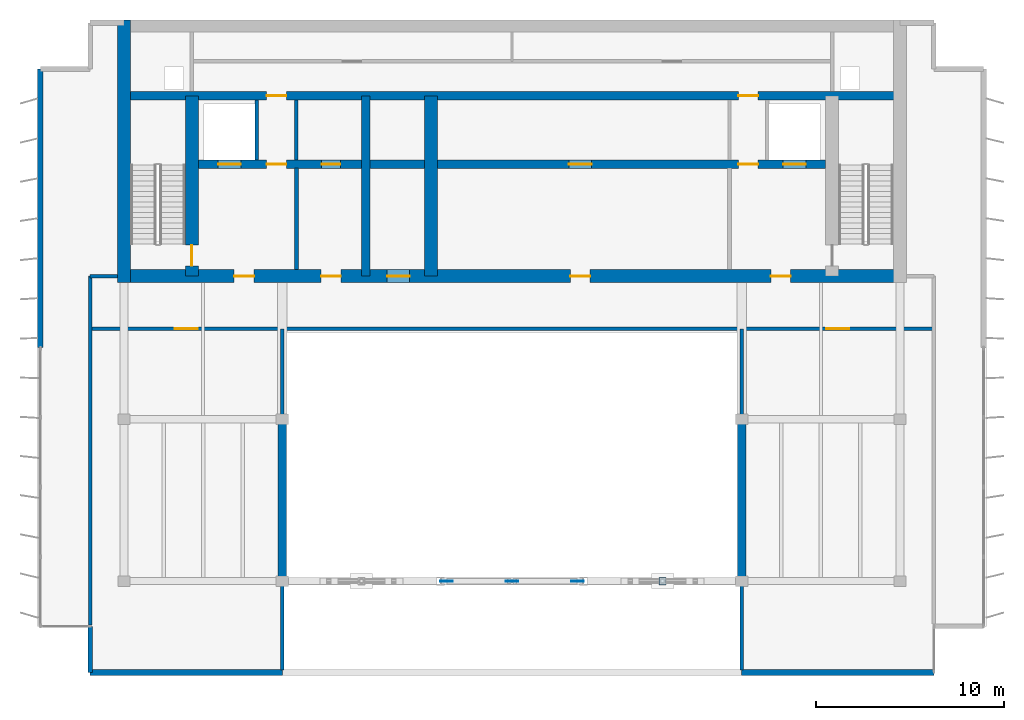
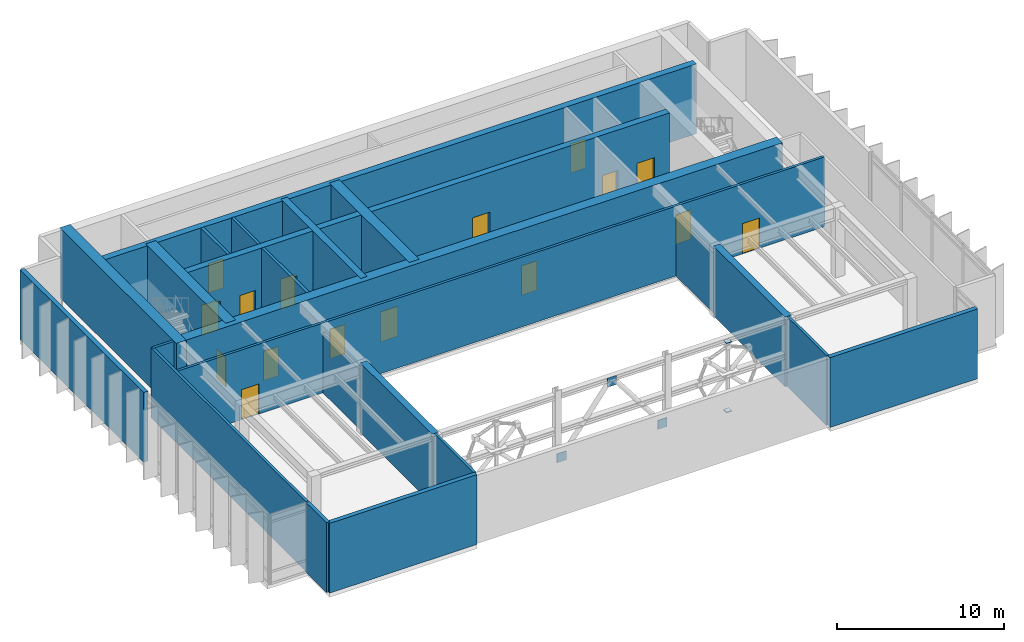
# One storey, part 6 of 10: 23 walls, 16 doors, 5 plates, 16 openings.
"""IFC4 building model written with IfcOpenShell, lengths in metres."""

from ifc_helpers import new_model, si_unit, direction, frame, frame_2d, origin, origin_2d, place, context, subcontext, project, spatial, rectangle, extrude, material, layer, layer_set, type_object, element, fill, save


model = new_model("IFC4")

# Units and contexts
model_context = context("Model", 3, precision=1e-05, world=origin(), true_north=direction((0.0, 1.0)))
body_context = subcontext(model_context, "Body", "Model", "MODEL_VIEW")
ifc_project = project(units=[si_unit("LENGTHUNIT", "METRE"), si_unit("AREAUNIT", "SQUARE_METRE"), si_unit("VOLUMEUNIT", "CUBIC_METRE"), si_unit("PLANEANGLEUNIT", "RADIAN"), si_unit("MASSUNIT", "GRAM", prefix="KILO")], contexts=[model_context])

# Site, building, storey
site_placement = place(None, origin())
site = spatial("IfcSite", under=ifc_project, at=site_placement, CompositionType="ELEMENT")
building_placement = place(site_placement, origin())
building = spatial("IfcBuilding", under=site, at=building_placement, Name="Caelmar Bay Residences", CompositionType="ELEMENT")
storey_placement = place(building_placement, frame((0.0, 0.0, 284.800048828125)))
storey = spatial("IfcBuildingStorey", under=building, at=storey_placement, Name="L79", CompositionType="ELEMENT", Elevation=284.800048828125)

# Plates
ifc_material_1 = material(Name="Steel ASTM A572 Grade 50", Category="steel")
ifc_layer_1 = layer(ifc_material_1, 0.044921875)
ifc_layer_set_1 = layer_set([ifc_layer_1], Name="Steel ASTM A572 Grade 50")
plate_type_1 = type_object("IfcPlateType", Name="PLT-CAP-45", PredefinedType="USERDEFINED", material=ifc_layer_set_1)
for number, where, z_axis, x_axis, name in (
    (1, (46.89990234375, 20.800048828125, -0.322509765625), (0.0, 0.0, 1.0), (1.0, 0.0, 0.0), "L79 Hollow-Section End-Cap Plate PLT-TURBPOST-B2"),
    (2, (46.89990234375, 20.800048828125, 4.719482421875), (0.0, 0.0, 1.0), (1.0, 0.0, 0.0), "L79 Hollow-Section End-Cap Plate PLT-TURBPOST-T2"),
):
    element("IfcPlate", number, at=place(storey_placement, frame(where, z_axis=z_axis, x_axis=x_axis)), inside=storey, type_object=plate_type_1, Name=name, ObjectType="CAP_PLATE", PredefinedType="USERDEFINED", context=body_context, shape_type="SweptSolid", body=[
        extrude(rectangle(XDim=0.3798828125, YDim=0.3798828125, at=origin_2d()), origin(), (0.0, 0.0, 1.0), 0.044921875),
    ])
ifc_layer_2 = layer(ifc_material_1, 0.044921875)
ifc_layer_set_2 = layer_set([ifc_layer_2], Name="Steel ASTM A572 Grade 50")
plate_type_2 = type_object("IfcPlateType", Name="PLT-GUS-45", PredefinedType="USERDEFINED", material=ifc_layer_set_2)
for number, where, z_axis, x_axis, name in (
    (3, (35.41552734375, 20.800048828125, -0.0048828125), (0.0, 0.0, 1.0), (1.0, 0.0, 0.0), "L79 Structural Node Gusset Plate PLT-PRT-L79L"),
    (4, (42.384521484375, 20.800048828125, -0.0048828125), (0.0, 0.0, 1.0), (1.0, 0.0, 0.0), "L79 Structural Node Gusset Plate PLT-PRT-L79R"),
    (5, (38.89990234375, 20.800048828125, 4.297119140625), (0.0, 0.0, 1.0), (1.0, 0.0, 0.0), "L79 Structural Node Gusset Plate PLT-PRT-L79"),
):
    element("IfcPlate", number, at=place(storey_placement, frame(where, z_axis=z_axis, x_axis=x_axis)), inside=storey, type_object=plate_type_2, Name=name, ObjectType="GUSSET_PLATE", PredefinedType="USERDEFINED", context=body_context, shape_type="SweptSolid", body=[
        extrude(rectangle(XDim=0.64990234375, YDim=0.044921875, at=origin_2d()), origin(), (0.0, 0.0, 1.0), 0.64990234375),
    ])

# Wall, openings, doors
ifc_material_2 = material(Name="Concrete f'c 55 MPa (8,000 psi)", Category="concrete")
ifc_layer_3 = layer(ifc_material_2, 0.699951171875)
ifc_layer_set_3 = layer_set([ifc_layer_3], Name="Concrete f'c 55 MPa (8,000 psi)")
wall_type_1 = type_object("IfcWallType", Name="SW-COR-700", PredefinedType="SHEAR", material=ifc_layer_set_3)
wall_1_placement = place(storey_placement, frame((17.949951171875, 37.0, 0.0), z_axis=(0.0, 0.0, 1.0), x_axis=(1.0, 0.0, 0.0)))
wall_1 = element("IfcWall", 6, at=wall_1_placement, inside=storey, type_object=wall_type_1, Name="L79 Rear Core South Shear Wall", PredefinedType="SHEAR", context=body_context, shape_type="SweptSolid", body=[
    extrude(rectangle(XDim=41.900146484375, YDim=0.699951171875, at=frame_2d((20.9501953125, 0.0))), origin(), (0.0, 0.0, 1.0), 5.099853515625),
])
opening_1_placement = place(wall_1_placement, frame((14.3125, 0.0, 0.0)))
opening_1 = element("IfcOpeningElement", 7, at=opening_1_placement, cuts=wall_1, Name="Opening D-L79-103", PredefinedType="OPENING", context=body_context, shape_type="SweptSolid", body=[
    extrude(rectangle(XDim=1.199951171875, YDim=2.199951171875, at=frame_2d((0.60009765625, 1.10009765625))), frame((0.0, 0.35986328125, 0.0), z_axis=(0.0, -1.0, 0.0), x_axis=(1.0, 0.0, 0.0)), (0.0, 0.0, 1.0), 0.719970703125),
])
opening_2_placement = place(wall_1_placement, frame((6.199951171875, 0.0, 0.0)))
opening_2 = element("IfcOpeningElement", 8, at=opening_2_placement, cuts=wall_1, Name="Opening D-L79-104", PredefinedType="OPENING", context=body_context, shape_type="SweptSolid", body=[
    extrude(rectangle(XDim=1.050048828125, YDim=2.14990234375, at=frame_2d((0.52490234375, 1.074951171875))), frame((0.0, 0.35986328125, 0.0), z_axis=(0.0, -1.0, 0.0), x_axis=(1.0, 0.0, 0.0)), (0.0, 0.0, 1.0), 0.719970703125),
])
opening_3_placement = place(wall_1_placement, frame((34.699951171875, 0.0, 0.0)))
opening_3 = element("IfcOpeningElement", 9, at=opening_3_placement, cuts=wall_1, Name="Opening D-L79-107", PredefinedType="OPENING", context=body_context, shape_type="SweptSolid", body=[
    extrude(rectangle(XDim=1.050048828125, YDim=2.14990234375, at=frame_2d((0.52490234375, 1.074951171875))), frame((0.0, 0.35986328125, 0.0), z_axis=(0.0, -1.0, 0.0), x_axis=(1.0, 0.0, 0.0)), (0.0, 0.0, 1.0), 0.719970703125),
])
opening_4_placement = place(wall_1_placement, frame((10.8125, 0.0, 0.0)))
opening_4 = element("IfcOpeningElement", 10, at=opening_4_placement, cuts=wall_1, Name="Opening D-L79-110", PredefinedType="OPENING", context=body_context, shape_type="SweptSolid", body=[
    extrude(rectangle(XDim=1.050048828125, YDim=2.14990234375, at=frame_2d((0.52490234375, 1.074951171875))), frame((0.0, 0.35986328125, 0.0), z_axis=(0.0, -1.0, 0.0), x_axis=(1.0, 0.0, 0.0)), (0.0, 0.0, 1.0), 0.719970703125),
])
opening_5_placement = place(wall_1_placement, frame((24.050048828125, 0.0, 0.0)))
opening_5 = element("IfcOpeningElement", 11, at=opening_5_placement, cuts=wall_1, Name="Opening D-L79-112", PredefinedType="OPENING", context=body_context, shape_type="SweptSolid", body=[
    extrude(rectangle(XDim=1.050048828125, YDim=2.14990234375, at=frame_2d((0.52490234375, 1.074951171875))), frame((0.0, 0.35986328125, 0.0), z_axis=(0.0, -1.0, 0.0), x_axis=(1.0, 0.0, 0.0)), (0.0, 0.0, 1.0), 0.719970703125),
])
ifc_material_3 = material(Name="Fire-rated steel and walnut architectural door assembly", Category="steel")
ifc_layer_4 = layer(ifc_material_3, 0.050048828125)
ifc_layer_set_4 = layer_set([ifc_layer_4], Name="Fire-rated steel and walnut architectural door assembly")
door_type_1 = type_object("IfcDoorType", Name="D-FSAE-1050", OperationType="NOTDEFINED", PredefinedType="DOOR", material=ifc_layer_set_4)
door_1_placement = place(opening_2_placement, origin())
door_1 = element("IfcDoor", 12, at=door_1_placement, inside=storey, type_object=door_type_1, Name="L79 Firefighting Lobby West Door", OperationType="SINGLE_SWING_LEFT", OverallHeight=2.14990234375, OverallWidth=1.050048828125, PredefinedType="DOOR", context=body_context, shape_type="SweptSolid", body=[
    extrude(rectangle(XDim=1.050048828125, YDim=2.14990234375, at=frame_2d((0.52490234375, 1.074951171875))), frame((0.0, 0.02490234375, 0.0), z_axis=(0.0, -1.0, 0.0), x_axis=(1.0, 0.0, 0.0)), (0.0, 0.0, 1.0), 0.050048828125),
])
fill(opening_2, door_1)
door_2_placement = place(opening_3_placement, origin())
door_2 = element("IfcDoor", 13, at=door_2_placement, inside=storey, type_object=door_type_1, Name="L79 Firefighting Lobby East Door", OperationType="SINGLE_SWING_RIGHT", OverallHeight=2.14990234375, OverallWidth=1.050048828125, PredefinedType="DOOR", context=body_context, shape_type="SweptSolid", body=[
    extrude(rectangle(XDim=1.050048828125, YDim=2.14990234375, at=frame_2d((0.52490234375, 1.074951171875))), frame((0.0, 0.02490234375, 0.0), z_axis=(0.0, -1.0, 0.0), x_axis=(1.0, 0.0, 0.0)), (0.0, 0.0, 1.0), 0.050048828125),
])
fill(opening_3, door_2)
door_3_placement = place(opening_4_placement, origin())
door_3 = element("IfcDoor", 14, at=door_3_placement, inside=storey, type_object=door_type_1, Name="L79 West Lift Lobby Door", OperationType="SINGLE_SWING_LEFT", OverallHeight=2.14990234375, OverallWidth=1.050048828125, PredefinedType="DOOR", context=body_context, shape_type="SweptSolid", body=[
    extrude(rectangle(XDim=1.050048828125, YDim=2.14990234375, at=frame_2d((0.52490234375, 1.074951171875))), frame((0.0, 0.02490234375, 0.0), z_axis=(0.0, -1.0, 0.0), x_axis=(1.0, 0.0, 0.0)), (0.0, 0.0, 1.0), 0.050048828125),
])
fill(opening_4, door_3)
door_4_placement = place(opening_5_placement, origin())
door_4 = element("IfcDoor", 15, at=door_4_placement, inside=storey, type_object=door_type_1, Name="L79 Passenger Lift Lobby Door", OperationType="SINGLE_SWING_LEFT", OverallHeight=2.14990234375, OverallWidth=1.050048828125, PredefinedType="DOOR", context=body_context, shape_type="SweptSolid", body=[
    extrude(rectangle(XDim=1.050048828125, YDim=2.14990234375, at=frame_2d((0.52490234375, 1.074951171875))), frame((0.0, 0.02490234375, 0.0), z_axis=(0.0, -1.0, 0.0), x_axis=(1.0, 0.0, 0.0)), (0.0, 0.0, 1.0), 0.050048828125),
])
fill(opening_5, door_4)
ifc_layer_5 = layer(ifc_material_3, 0.050048828125)
ifc_layer_set_5 = layer_set([ifc_layer_5], Name="Fire-rated steel and walnut architectural door assembly")
door_type_2 = type_object("IfcDoorType", Name="D-PLANT-1200", OperationType="NOTDEFINED", PredefinedType="DOOR", material=ifc_layer_set_5)
door_5_placement = place(opening_1_placement, origin())
door_5 = element("IfcDoor", 16, at=door_5_placement, inside=storey, type_object=door_type_2, Name="L79 Crown Pressurisation Fan Room Door", OperationType="SINGLE_SWING_RIGHT", OverallHeight=2.199951171875, OverallWidth=1.199951171875, PredefinedType="DOOR", context=body_context, shape_type="SweptSolid", body=[
    extrude(rectangle(XDim=1.199951171875, YDim=2.199951171875, at=frame_2d((0.60009765625, 1.10009765625))), frame((0.0, 0.02490234375, 0.0), z_axis=(0.0, -1.0, 0.0), x_axis=(1.0, 0.0, 0.0)), (0.0, 0.0, 1.0), 0.050048828125),
])
fill(opening_1, door_5)

# Wall
wall_2_placement = place(storey_placement, frame((18.300048828125, 36.64990234375, 0.0), z_axis=(0.0, 0.0, 1.0), x_axis=(0.0, 1.0, 0.0)))
element("IfcWall", 17, at=wall_2_placement, inside=storey, type_object=wall_type_1, Name="L79 Rear Core West Shear Wall", PredefinedType="SHEAR", context=body_context, shape_type="SweptSolid", body=[
    extrude(rectangle(XDim=13.9501953125, YDim=0.699951171875, at=frame_2d((6.97509765625, 0.0))), origin(), (0.0, 0.0, 1.0), 5.099853515625),
])

# Wall, opening, door
wall_3_placement = place(storey_placement, frame((21.89990234375, 37.0, 0.0), z_axis=(0.0, 0.0, 1.0), x_axis=(0.0, 1.0, 0.0)))
wall_3 = element("IfcWall", 18, at=wall_3_placement, inside=storey, type_object=wall_type_1, Name="L79 Core Structural Web Wall ST1E", PredefinedType="SHEAR", context=body_context, shape_type="SweptSolid", body=[
    extrude(rectangle(XDim=9.574951171875, YDim=0.699951171875, at=frame_2d((4.78759765625, 0.0))), origin(), (0.0, 0.0, 1.0), 5.099853515625),
])
opening_6_placement = place(wall_3_placement, frame((0.550048828125, 0.0, 0.0)))
opening_6 = element("IfcOpeningElement", 19, at=opening_6_placement, cuts=wall_3, Name="Opening D-L79-105", PredefinedType="OPENING", context=body_context, shape_type="SweptSolid", body=[
    extrude(rectangle(XDim=1.10009765625, YDim=2.14990234375, at=frame_2d((0.550048828125, 1.074951171875))), frame((0.0, 0.35986328125, 0.0), z_axis=(0.0, -1.0, 0.0), x_axis=(1.0, 0.0, 0.0)), (0.0, 0.0, 1.0), 0.719970703125),
])
ifc_layer_6 = layer(ifc_material_3, 0.050048828125)
ifc_layer_set_6 = layer_set([ifc_layer_6], Name="Fire-rated steel and walnut architectural door assembly")
door_type_3 = type_object("IfcDoorType", Name="D-STAIR-1100", OperationType="NOTDEFINED", PredefinedType="DOOR", material=ifc_layer_set_6)
door_6_placement = place(opening_6_placement, origin())
door_6 = element("IfcDoor", 20, at=door_6_placement, inside=storey, type_object=door_type_3, Name="L79 Firefighting Lobby West Door", OperationType="SINGLE_SWING_RIGHT", OverallHeight=2.14990234375, OverallWidth=1.10009765625, PredefinedType="DOOR", context=body_context, shape_type="SweptSolid", body=[
    extrude(rectangle(XDim=1.10009765625, YDim=2.14990234375, at=frame_2d((0.550048828125, 1.074951171875))), frame((0.0, 0.02490234375, 0.0), z_axis=(0.0, -1.0, 0.0), x_axis=(1.0, 0.0, 0.0)), (0.0, 0.0, 1.0), 0.050048828125),
])
fill(opening_6, door_6)

# Walls
wall_4_placement = place(storey_placement, frame((34.60009765625, 37.0, 0.0), z_axis=(0.0, 0.0, 1.0), x_axis=(0.0, 1.0, 0.0)))
element("IfcWall", 21, at=wall_4_placement, inside=storey, type_object=wall_type_1, Name="L79 Core Structural Web Wall ST3E", PredefinedType="SHEAR", context=body_context, shape_type="SweptSolid", body=[
    extrude(rectangle(XDim=9.574951171875, YDim=0.699951171875, at=frame_2d((4.78759765625, 0.0))), origin(), (0.0, 0.0, 1.0), 5.099853515625),
])
ifc_material_4 = material(Name="Concrete f'c 70 MPa (10,000 psi)", Category="concrete")
ifc_layer_7 = layer(ifc_material_4, 0.449951171875)
ifc_layer_set_7 = layer_set([ifc_layer_7], Name="Concrete f'c 70 MPa (10,000 psi)")
wall_type_2 = type_object("IfcWallType", Name="SW-WEB-450", PredefinedType="SHEAR", material=ifc_layer_set_7)
wall_5_placement = place(storey_placement, frame((31.125, 37.0, 0.0), z_axis=(0.0, 0.0, 1.0), x_axis=(0.0, 1.0, 0.0)))
element("IfcWall", 22, at=wall_5_placement, inside=storey, type_object=wall_type_2, Name="L79 Core Structural Web Wall ST3W", PredefinedType="SHEAR", context=body_context, shape_type="SweptSolid", body=[
    extrude(rectangle(XDim=9.574951171875, YDim=0.449951171875, at=frame_2d((4.78759765625, 0.0))), origin(), (0.0, 0.0, 1.0), 5.099853515625),
])

# Wall, openings, doors
wall_6_placement = place(storey_placement, frame((22.25, 42.949951171875, 0.0), z_axis=(0.0, 0.0, 1.0), x_axis=(1.0, 0.0, 0.0)))
wall_6 = element("IfcWall", 23, at=wall_6_placement, inside=storey, type_object=wall_type_2, Name="L79 Core Structural Web Wall LFR", PredefinedType="SHEAR", context=body_context, shape_type="SweptSolid", body=[
    extrude(rectangle(XDim=33.300048828125, YDim=0.449951171875, at=frame_2d((16.64990234375, 0.0))), origin(), (0.0, 0.0, 1.0), 5.099853515625),
])
opening_7_placement = place(wall_6_placement, frame((1.050048828125, 0.0, 0.0)))
opening_7 = element("IfcOpeningElement", 24, at=opening_7_placement, cuts=wall_6, Name="Opening LD2", PredefinedType="OPENING", context=body_context, shape_type="SweptSolid", body=[
    extrude(rectangle(XDim=1.199951171875, YDim=2.199951171875, at=frame_2d((0.60009765625, 1.10009765625))), frame((0.0, 0.23486328125, 0.0), z_axis=(0.0, -1.0, 0.0), x_axis=(1.0, 0.0, 0.0)), (0.0, 0.0, 1.0), 0.469970703125),
])
opening_8_placement = place(wall_6_placement, frame((31.050048828125, 0.0, 0.0)))
opening_8 = element("IfcOpeningElement", 25, at=opening_8_placement, cuts=wall_6, Name="Opening LD2", PredefinedType="OPENING", context=body_context, shape_type="SweptSolid", body=[
    extrude(rectangle(XDim=1.199951171875, YDim=2.199951171875, at=frame_2d((0.60009765625, 1.10009765625))), frame((0.0, 0.23486328125, 0.0), z_axis=(0.0, -1.0, 0.0), x_axis=(1.0, 0.0, 0.0)), (0.0, 0.0, 1.0), 0.469970703125),
])
opening_9_placement = place(wall_6_placement, frame((3.625, 0.0, 0.0)))
opening_9 = element("IfcOpeningElement", 26, at=opening_9_placement, cuts=wall_6, Name="Opening D-L79-106", PredefinedType="OPENING", context=body_context, shape_type="SweptSolid", body=[
    extrude(rectangle(XDim=1.050048828125, YDim=2.14990234375, at=frame_2d((0.52490234375, 1.074951171875))), frame((0.0, 0.23486328125, 0.0), z_axis=(0.0, -1.0, 0.0), x_axis=(1.0, 0.0, 0.0)), (0.0, 0.0, 1.0), 0.469970703125),
])
opening_10_placement = place(wall_6_placement, frame((28.675048828125, 0.0, 0.0)))
opening_10 = element("IfcOpeningElement", 27, at=opening_10_placement, cuts=wall_6, Name="Opening D-L79-109", PredefinedType="OPENING", context=body_context, shape_type="SweptSolid", body=[
    extrude(rectangle(XDim=1.050048828125, YDim=2.14990234375, at=frame_2d((0.52490234375, 1.074951171875))), frame((0.0, 0.23486328125, 0.0), z_axis=(0.0, -1.0, 0.0), x_axis=(1.0, 0.0, 0.0)), (0.0, 0.0, 1.0), 0.469970703125),
])
opening_11_placement = place(wall_6_placement, frame((6.53759765625, 0.0, 0.0)))
opening_11 = element("IfcOpeningElement", 28, at=opening_11_placement, cuts=wall_6, Name="Opening D-L79-111", PredefinedType="OPENING", context=body_context, shape_type="SweptSolid", body=[
    extrude(rectangle(XDim=1.0, YDim=2.199951171875, at=frame_2d((0.5, 1.10009765625))), frame((0.0, 0.23486328125, 0.0), z_axis=(0.0, -1.0, 0.0), x_axis=(1.0, 0.0, 0.0)), (0.0, 0.0, 1.0), 0.469970703125),
])
opening_12_placement = place(wall_6_placement, frame((19.675048828125, 0.0, 0.0)))
opening_12 = element("IfcOpeningElement", 29, at=opening_12_placement, cuts=wall_6, Name="Opening D-L79-113", PredefinedType="OPENING", context=body_context, shape_type="SweptSolid", body=[
    extrude(rectangle(XDim=1.199951171875, YDim=2.199951171875, at=frame_2d((0.60009765625, 1.10009765625))), frame((0.0, 0.23486328125, 0.0), z_axis=(0.0, -1.0, 0.0), x_axis=(1.0, 0.0, 0.0)), (0.0, 0.0, 1.0), 0.469970703125),
])
door_7_placement = place(opening_9_placement, origin())
door_7 = element("IfcDoor", 30, at=door_7_placement, inside=storey, type_object=door_type_1, Name="L79 Firefighting Lobby West Door", OperationType="SINGLE_SWING_LEFT", OverallHeight=2.14990234375, OverallWidth=1.050048828125, PredefinedType="DOOR", context=body_context, shape_type="SweptSolid", body=[
    extrude(rectangle(XDim=1.050048828125, YDim=2.14990234375, at=frame_2d((0.52490234375, 1.074951171875))), frame((0.0, 0.02490234375, 0.0), z_axis=(0.0, -1.0, 0.0), x_axis=(1.0, 0.0, 0.0)), (0.0, 0.0, 1.0), 0.050048828125),
])
fill(opening_9, door_7)
door_8_placement = place(opening_10_placement, origin())
door_8 = element("IfcDoor", 31, at=door_8_placement, inside=storey, type_object=door_type_1, Name="L79 Firefighting Lobby East Door", OperationType="SINGLE_SWING_RIGHT", OverallHeight=2.14990234375, OverallWidth=1.050048828125, PredefinedType="DOOR", context=body_context, shape_type="SweptSolid", body=[
    extrude(rectangle(XDim=1.050048828125, YDim=2.14990234375, at=frame_2d((0.52490234375, 1.074951171875))), frame((0.0, 0.02490234375, 0.0), z_axis=(0.0, -1.0, 0.0), x_axis=(1.0, 0.0, 0.0)), (0.0, 0.0, 1.0), 0.050048828125),
])
fill(opening_10, door_8)
ifc_material_5 = material(Name="Brushed stainless-steel FSAE sliding landing door", Category="steel")
ifc_layer_8 = layer(ifc_material_5, 0.050048828125)
ifc_layer_set_8 = layer_set([ifc_layer_8], Name="Brushed stainless-steel FSAE sliding landing door")
door_type_4 = type_object("IfcDoorType", Name="D-LND-1200", OperationType="DOUBLE_DOOR_SLIDING", PredefinedType="DOOR", material=ifc_layer_set_8)
door_9_placement = place(opening_7_placement, origin())
door_9 = element("IfcDoor", 32, at=door_9_placement, inside=storey, type_object=door_type_4, Name="L79 LF1 Sliding Landing Door", OperationType="DOUBLE_DOOR_SLIDING", OverallHeight=2.199951171875, OverallWidth=1.199951171875, PredefinedType="DOOR", context=body_context, shape_type="SweptSolid", body=[
    extrude(rectangle(XDim=1.199951171875, YDim=2.199951171875, at=frame_2d((0.60009765625, 1.10009765625))), frame((0.0, 0.02490234375, 0.0), z_axis=(0.0, -1.0, 0.0), x_axis=(1.0, 0.0, 0.0)), (0.0, 0.0, 1.0), 0.050048828125),
])
fill(opening_7, door_9)
door_10_placement = place(opening_8_placement, origin())
door_10 = element("IfcDoor", 33, at=door_10_placement, inside=storey, type_object=door_type_4, Name="L79 LF2 Sliding Landing Door", OperationType="DOUBLE_DOOR_SLIDING", OverallHeight=2.199951171875, OverallWidth=1.199951171875, PredefinedType="DOOR", context=body_context, shape_type="SweptSolid", body=[
    extrude(rectangle(XDim=1.199951171875, YDim=2.199951171875, at=frame_2d((0.60009765625, 1.10009765625))), frame((0.0, 0.02490234375, 0.0), z_axis=(0.0, -1.0, 0.0), x_axis=(1.0, 0.0, 0.0)), (0.0, 0.0, 1.0), 0.050048828125),
])
fill(opening_8, door_10)
door_11_placement = place(opening_12_placement, origin())
door_11 = element("IfcDoor", 34, at=door_11_placement, inside=storey, type_object=door_type_2, Name="L79 Lift Machine Plant Room Door", OperationType="SINGLE_SWING_RIGHT", OverallHeight=2.199951171875, OverallWidth=1.199951171875, PredefinedType="DOOR", context=body_context, shape_type="SweptSolid", body=[
    extrude(rectangle(XDim=1.199951171875, YDim=2.199951171875, at=frame_2d((0.60009765625, 1.10009765625))), frame((0.0, 0.02490234375, 0.0), z_axis=(0.0, -1.0, 0.0), x_axis=(1.0, 0.0, 0.0)), (0.0, 0.0, 1.0), 0.050048828125),
])
fill(opening_12, door_11)
ifc_layer_9 = layer(ifc_material_3, 0.050048828125)
ifc_layer_set_9 = layer_set([ifc_layer_9], Name="Fire-rated steel and walnut architectural door assembly")
door_type_5 = type_object("IfcDoorType", Name="D-UNIT-1000", OperationType="NOTDEFINED", PredefinedType="DOOR", material=ifc_layer_set_9)
door_12_placement = place(opening_11_placement, origin())
door_12 = element("IfcDoor", 35, at=door_12_placement, inside=storey, type_object=door_type_5, Name="L79 Core Equipment Closet Door", OperationType="SINGLE_SWING_RIGHT", OverallHeight=2.199951171875, OverallWidth=1.0, PredefinedType="DOOR", context=body_context, shape_type="SweptSolid", body=[
    extrude(rectangle(XDim=1.0, YDim=2.199951171875, at=frame_2d((0.5, 1.10009765625))), frame((0.0, 0.02490234375, 0.0), z_axis=(0.0, -1.0, 0.0), x_axis=(1.0, 0.0, 0.0)), (0.0, 0.0, 1.0), 0.050048828125),
])
fill(opening_11, door_12)

wall_7_placement = place(storey_placement, frame((18.300048828125, 46.574951171875, 0.0), z_axis=(0.0, 0.0, 1.0), x_axis=(1.0, 0.0, 0.0)))
wall_7 = element("IfcWall", 36, at=wall_7_placement, inside=storey, type_object=wall_type_2, Name="L79 Core Structural Web Wall SRVS", PredefinedType="SHEAR", context=body_context, shape_type="SweptSolid", body=[
    extrude(rectangle(XDim=41.199951171875, YDim=0.449951171875, at=frame_2d((20.60009765625, 0.0))), origin(), (0.0, 0.0, 1.0), 5.099853515625),
])
opening_13_placement = place(wall_7_placement, frame((7.574951171875, 0.0, 0.0)))
opening_13 = element("IfcOpeningElement", 37, at=opening_13_placement, cuts=wall_7, Name="Opening D-L79-114", PredefinedType="OPENING", context=body_context, shape_type="SweptSolid", body=[
    extrude(rectangle(XDim=1.050048828125, YDim=2.14990234375, at=frame_2d((0.52490234375, 1.074951171875))), frame((0.0, 0.23486328125, 0.0), z_axis=(0.0, -1.0, 0.0), x_axis=(1.0, 0.0, 0.0)), (0.0, 0.0, 1.0), 0.469970703125),
])
opening_14_placement = place(wall_7_placement, frame((32.625, 0.0, 0.0)))
opening_14 = element("IfcOpeningElement", 38, at=opening_14_placement, cuts=wall_7, Name="Opening D-L79-115", PredefinedType="OPENING", context=body_context, shape_type="SweptSolid", body=[
    extrude(rectangle(XDim=1.050048828125, YDim=2.14990234375, at=frame_2d((0.52490234375, 1.074951171875))), frame((0.0, 0.23486328125, 0.0), z_axis=(0.0, -1.0, 0.0), x_axis=(1.0, 0.0, 0.0)), (0.0, 0.0, 1.0), 0.469970703125),
])
door_13_placement = place(opening_13_placement, origin())
door_13 = element("IfcDoor", 39, at=door_13_placement, inside=storey, type_object=door_type_1, Name="L79 Core Service Corridor Door", OperationType="SINGLE_SWING_LEFT", OverallHeight=2.14990234375, OverallWidth=1.050048828125, PredefinedType="DOOR", context=body_context, shape_type="SweptSolid", body=[
    extrude(rectangle(XDim=1.050048828125, YDim=2.14990234375, at=frame_2d((0.52490234375, 1.074951171875))), frame((0.0, 0.02490234375, 0.0), z_axis=(0.0, -1.0, 0.0), x_axis=(1.0, 0.0, 0.0)), (0.0, 0.0, 1.0), 0.050048828125),
])
fill(opening_13, door_13)
door_14_placement = place(opening_14_placement, origin())
door_14 = element("IfcDoor", 40, at=door_14_placement, inside=storey, type_object=door_type_1, Name="L79 Core Service Corridor Door", OperationType="SINGLE_SWING_RIGHT", OverallHeight=2.14990234375, OverallWidth=1.050048828125, PredefinedType="DOOR", context=body_context, shape_type="SweptSolid", body=[
    extrude(rectangle(XDim=1.050048828125, YDim=2.14990234375, at=frame_2d((0.52490234375, 1.074951171875))), frame((0.0, 0.02490234375, 0.0), z_axis=(0.0, -1.0, 0.0), x_axis=(1.0, 0.0, 0.0)), (0.0, 0.0, 1.0), 0.050048828125),
])
fill(opening_14, door_14)

# Walls
ifc_layer_10 = layer(ifc_material_2, 0.449951171875)
ifc_layer_set_10 = layer_set([ifc_layer_10], Name="Concrete f'c 55 MPa (8,000 psi)")
wall_type_3 = type_object("IfcWallType", Name="SW-XSLB-450", PredefinedType="SHEAR", material=ifc_layer_set_10)
for number, where, z_axis, x_axis, name in (
    (41, (26.699951171875, 20.800048828125, 0.0), (0.0, 0.0, 1.0), (0.0, 1.0, 0.0), "L79 Transverse Cross-Slab Shear Wall W5"),
    (42, (51.10009765625, 20.800048828125, 0.0), (0.0, 0.0, 1.0), (0.0, 1.0, 0.0), "L79 Transverse Cross-Slab Shear Wall E8"),
):
    element("IfcWall", number, at=place(storey_placement, frame(where, z_axis=z_axis, x_axis=x_axis)), inside=storey, type_object=wall_type_3, Name=name, PredefinedType="SHEAR", context=body_context, shape_type="SweptSolid", body=[
        extrude(rectangle(XDim=8.599853515625, YDim=0.449951171875, at=frame_2d((4.2998046875, 0.0))), origin(), (0.0, 0.0, 1.0), 5.099853515625),
    ])
ifc_material_6 = material(Name="Double-stud acoustic fire-rated gypsum partition 180 mm")
ifc_layer_11 = layer(ifc_material_6, 0.179931640625)
ifc_layer_set_11 = layer_set([ifc_layer_11], Name="Double-stud acoustic fire-rated gypsum partition 180 mm")
wall_type_4 = type_object("IfcWallType", Name="W-COR-200", PredefinedType="PARTITIONING", material=ifc_layer_set_11)
wall_8_placement = place(storey_placement, frame((16.5, 18.485107421875, 0.0), z_axis=(0.0, 0.0, 1.0), x_axis=(0.0, 1.0, 0.0)))
element("IfcWall", 43, at=wall_8_placement, inside=storey, type_object=wall_type_4, Name="L79 Partition Wall V001", PredefinedType="PARTITIONING", context=body_context, shape_type="SweptSolid", body=[
    extrude(rectangle(XDim=18.514892578125, YDim=0.179931640625, at=frame_2d((9.25732421875, 0.0))), origin(), (0.0, 0.0, 1.0), 5.099853515625),
])
wall_9_placement = place(storey_placement, frame((26.699951171875, 16.094970703125, 0.0), z_axis=(0.0, 0.0, 1.0), x_axis=(0.0, 1.0, 0.0)))
element("IfcWall", 44, at=wall_9_placement, inside=storey, type_object=wall_type_4, Name="L79 Partition Wall V004", PredefinedType="PARTITIONING", context=body_context, shape_type="SweptSolid", body=[
    extrude(rectangle(XDim=4.699951171875, YDim=0.179931640625, at=frame_2d((2.35009765625, 0.0))), origin(), (0.0, 0.0, 1.0), 5.099853515625),
])
wall_10_placement = place(storey_placement, frame((26.699951171875, 29.405029296875, 0.0), z_axis=(0.0, 0.0, 1.0), x_axis=(0.0, 1.0, 0.0)))
element("IfcWall", 45, at=wall_10_placement, inside=storey, type_object=wall_type_4, Name="L79 Partition Wall V005", PredefinedType="PARTITIONING", context=body_context, shape_type="SweptSolid", body=[
    extrude(rectangle(XDim=4.794921875, YDim=0.179931640625, at=frame_2d((2.3974609375, 0.0))), origin(), (0.0, 0.0, 1.0), 4.385009765625),
])
wall_11_placement = place(storey_placement, frame((27.449951171875, 43.169921875, 0.0), z_axis=(0.0, 0.0, 1.0), x_axis=(0.0, 1.0, 0.0)))
element("IfcWall", 46, at=wall_11_placement, inside=storey, type_object=wall_type_4, Name="L79 Partition Wall V007", PredefinedType="PARTITIONING", context=body_context, shape_type="SweptSolid", body=[
    extrude(rectangle(XDim=3.18505859375, YDim=0.179931640625, at=frame_2d((1.592529296875, 0.0))), origin(), (0.0, 0.0, 1.0), 5.099853515625),
])
wall_12_placement = place(storey_placement, frame((51.10009765625, 16.094970703125, 0.0), z_axis=(0.0, 0.0, 1.0), x_axis=(0.0, 1.0, 0.0)))
element("IfcWall", 47, at=wall_12_placement, inside=storey, type_object=wall_type_4, Name="L79 Partition Wall V011", PredefinedType="PARTITIONING", context=body_context, shape_type="SweptSolid", body=[
    extrude(rectangle(XDim=4.699951171875, YDim=0.179931640625, at=frame_2d((2.35009765625, 0.0))), origin(), (0.0, 0.0, 1.0), 5.099853515625),
])
wall_13_placement = place(storey_placement, frame((51.10009765625, 29.405029296875, 0.0), z_axis=(0.0, 0.0, 1.0), x_axis=(0.0, 1.0, 0.0)))
element("IfcWall", 48, at=wall_13_placement, inside=storey, type_object=wall_type_4, Name="L79 Partition Wall V012", PredefinedType="PARTITIONING", context=body_context, shape_type="SweptSolid", body=[
    extrude(rectangle(XDim=4.794921875, YDim=0.179931640625, at=frame_2d((2.3974609375, 0.0))), origin(), (0.0, 0.0, 1.0), 4.385009765625),
])

# Wall, openings, doors
wall_14_placement = place(storey_placement, frame((16.5, 34.199951171875, 0.0), z_axis=(0.0, 0.0, 1.0), x_axis=(1.0, 0.0, 0.0)))
wall_14 = element("IfcWall", 49, at=wall_14_placement, inside=storey, type_object=wall_type_4, Name="L79 Partition Wall H016", PredefinedType="PARTITIONING", context=body_context, shape_type="SweptSolid", body=[
    extrude(rectangle(XDim=44.800048828125, YDim=0.179931640625, at=frame_2d((22.39990234375, 0.0))), origin(), (0.0, 0.0, 1.0), 5.099853515625),
])
opening_15_placement = place(wall_14_placement, frame((4.5, 0.0, 0.0)))
opening_15 = element("IfcOpeningElement", 50, at=opening_15_placement, cuts=wall_14, Name="Opening D-L79-118", PredefinedType="OPENING", context=body_context, shape_type="SweptSolid", body=[
    extrude(rectangle(XDim=1.199951171875, YDim=2.199951171875, at=frame_2d((0.60009765625, 1.10009765625))), frame((0.0, 0.099853515625, 0.0), z_axis=(0.0, -1.0, 0.0), x_axis=(1.0, 0.0, 0.0)), (0.0, 0.0, 1.0), 0.199951171875),
])
opening_16_placement = place(wall_14_placement, frame((39.10009765625, 0.0, 0.0)))
opening_16 = element("IfcOpeningElement", 51, at=opening_16_placement, cuts=wall_14, Name="Opening D-L79-119", PredefinedType="OPENING", context=body_context, shape_type="SweptSolid", body=[
    extrude(rectangle(XDim=1.199951171875, YDim=2.199951171875, at=frame_2d((0.60009765625, 1.10009765625))), frame((0.0, 0.099853515625, 0.0), z_axis=(0.0, -1.0, 0.0), x_axis=(1.0, 0.0, 0.0)), (0.0, 0.0, 1.0), 0.199951171875),
])
door_15_placement = place(opening_15_placement, origin())
door_15 = element("IfcDoor", 52, at=door_15_placement, inside=storey, type_object=door_type_2, Name="L79 West Turbine Control Plant Room L79 Door", OperationType="SINGLE_SWING_LEFT", OverallHeight=2.199951171875, OverallWidth=1.199951171875, PredefinedType="DOOR", context=body_context, shape_type="SweptSolid", body=[
    extrude(rectangle(XDim=1.199951171875, YDim=2.199951171875, at=frame_2d((0.60009765625, 1.10009765625))), frame((0.0, 0.02490234375, 0.0), z_axis=(0.0, -1.0, 0.0), x_axis=(1.0, 0.0, 0.0)), (0.0, 0.0, 1.0), 0.050048828125),
])
fill(opening_15, door_15)
door_16_placement = place(opening_16_placement, origin())
door_16 = element("IfcDoor", 53, at=door_16_placement, inside=storey, type_object=door_type_2, Name="L79 East Turbine Inverter Plant Room L79 Door", OperationType="SINGLE_SWING_RIGHT", OverallHeight=2.199951171875, OverallWidth=1.199951171875, PredefinedType="DOOR", context=body_context, shape_type="SweptSolid", body=[
    extrude(rectangle(XDim=1.199951171875, YDim=2.199951171875, at=frame_2d((0.60009765625, 1.10009765625))), frame((0.0, 0.02490234375, 0.0), z_axis=(0.0, -1.0, 0.0), x_axis=(1.0, 0.0, 0.0)), (0.0, 0.0, 1.0), 0.050048828125),
])
fill(opening_16, door_16)

# Walls
wall_15_placement = place(storey_placement, frame((16.5, 37.0, 0.0), z_axis=(0.0, 0.0, 1.0), x_axis=(1.0, 0.0, 0.0)))
element("IfcWall", 54, at=wall_15_placement, inside=storey, type_object=wall_type_4, Name="L79 Partition Wall H017", PredefinedType="PARTITIONING", context=body_context, shape_type="SweptSolid", body=[
    extrude(rectangle(XDim=1.445068359375, YDim=0.179931640625, at=frame_2d((0.72265625, 0.0))), origin(), (0.0, 0.0, 1.0), 5.099853515625),
])
ifc_material_7 = material(Name="Precast concrete f'c 40 MPa (6,000 psi)", Category="concrete")
ifc_layer_12 = layer(ifc_material_7, 0.25)
ifc_layer_set_12 = layer_set([ifc_layer_12], Name="Precast concrete f'c 40 MPa (6,000 psi)")
wall_type_5 = type_object("IfcWallType", Name="W-EXT-250", PredefinedType="ELEMENTEDWALL", material=ifc_layer_set_12)
wall_16_placement = place(storey_placement, frame((16.5, 18.39990234375, 0.0), z_axis=(0.0, 0.0, 1.0), x_axis=(0.0, -1.0, 0.0)))
element("IfcWall", 55, at=wall_16_placement, inside=storey, type_object=wall_type_5, Name="L79 SW Notch Return Wall", PredefinedType="ELEMENTEDWALL", context=body_context, shape_type="SweptSolid", body=[
    extrude(rectangle(XDim=2.449951171875, YDim=0.25, at=frame_2d((1.22509765625, 0.0))), origin(), (0.0, 0.0, 1.0), 5.099853515625),
])
ifc_layer_13 = layer(ifc_material_7, 0.300048828125)
ifc_layer_set_13 = layer_set([ifc_layer_13], Name="Precast concrete f'c 40 MPa (6,000 psi)")
wall_type_6 = type_object("IfcWallType", Name="W-EXT-300", PredefinedType="STANDARD", material=ifc_layer_set_13)
for number, where, z_axis, x_axis, name in (
    (56, (61.300048828125, 15.949951171875, 0.0), (0.0, 0.0, 1.0), (-1.0, 0.0, 0.0), "L79 South-East Crown Wall"),
    (57, (26.699951171875, 15.949951171875, 0.0), (0.0, 0.0, 1.0), (-1.0, 0.0, 0.0), "L79 South-West Crown Wall"),
):
    element("IfcWall", number, at=place(storey_placement, frame(where, z_axis=z_axis, x_axis=x_axis)), inside=storey, type_object=wall_type_6, Name=name, PredefinedType="STANDARD", context=body_context, shape_type="SweptSolid", body=[
        extrude(rectangle(XDim=10.199951171875, YDim=0.300048828125, at=frame_2d((5.10009765625, 0.0))), origin(), (0.0, 0.0, 1.0), 5.099853515625),
    ])
wall_17_placement = place(storey_placement, frame((13.85009765625, 33.199951171875, 0.0), z_axis=(0.0, 0.0, 1.0), x_axis=(0.0, 1.0, 0.0)))
element("IfcWall", 58, at=wall_17_placement, inside=storey, type_object=wall_type_6, Name="L79 West Rear Exterior Wall", PredefinedType="STANDARD", context=body_context, shape_type="SweptSolid", body=[
    extrude(rectangle(XDim=14.800048828125, YDim=0.300048828125, at=frame_2d((7.39990234375, 0.0))), origin(), (0.0, 0.0, 1.0), 5.099853515625),
])
ifc_material_8 = material(Name="Fire-rated masonry and gypsum shaftliner assembly 200 mm", Category="masonry")
ifc_layer_14 = layer(ifc_material_8, 0.199951171875)
ifc_layer_set_14 = layer_set([ifc_layer_14], Name="Fire-rated masonry and gypsum shaftliner assembly 200 mm")
wall_type_7 = type_object("IfcWallType", Name="W-FSAE-200", PredefinedType="PARTITIONING", material=ifc_layer_set_14)
wall_18_placement = place(storey_placement, frame((25.35009765625, 43.169921875, 0.0), z_axis=(0.0, 0.0, 1.0), x_axis=(0.0, 1.0, 0.0)))
element("IfcWall", 59, at=wall_18_placement, inside=storey, type_object=wall_type_7, Name="L79 Partition Wall V003", PredefinedType="PARTITIONING", context=body_context, shape_type="SweptSolid", body=[
    extrude(rectangle(XDim=3.18505859375, YDim=0.199951171875, at=frame_2d((1.592529296875, 0.0))), origin(), (0.0, 0.0, 1.0), 5.099853515625),
])
wall_19_placement = place(storey_placement, frame((27.449951171875, 37.344970703125, 0.0), z_axis=(0.0, 0.0, 1.0), x_axis=(0.0, 1.0, 0.0)))
element("IfcWall", 60, at=wall_19_placement, inside=storey, type_object=wall_type_7, Name="L79 Partition Wall V006", PredefinedType="PARTITIONING", context=body_context, shape_type="SweptSolid", body=[
    extrude(rectangle(XDim=5.385009765625, YDim=0.199951171875, at=frame_2d((2.6923828125, 0.0))), origin(), (0.0, 0.0, 1.0), 5.099853515625),
])

save(model, "model.ifc")
